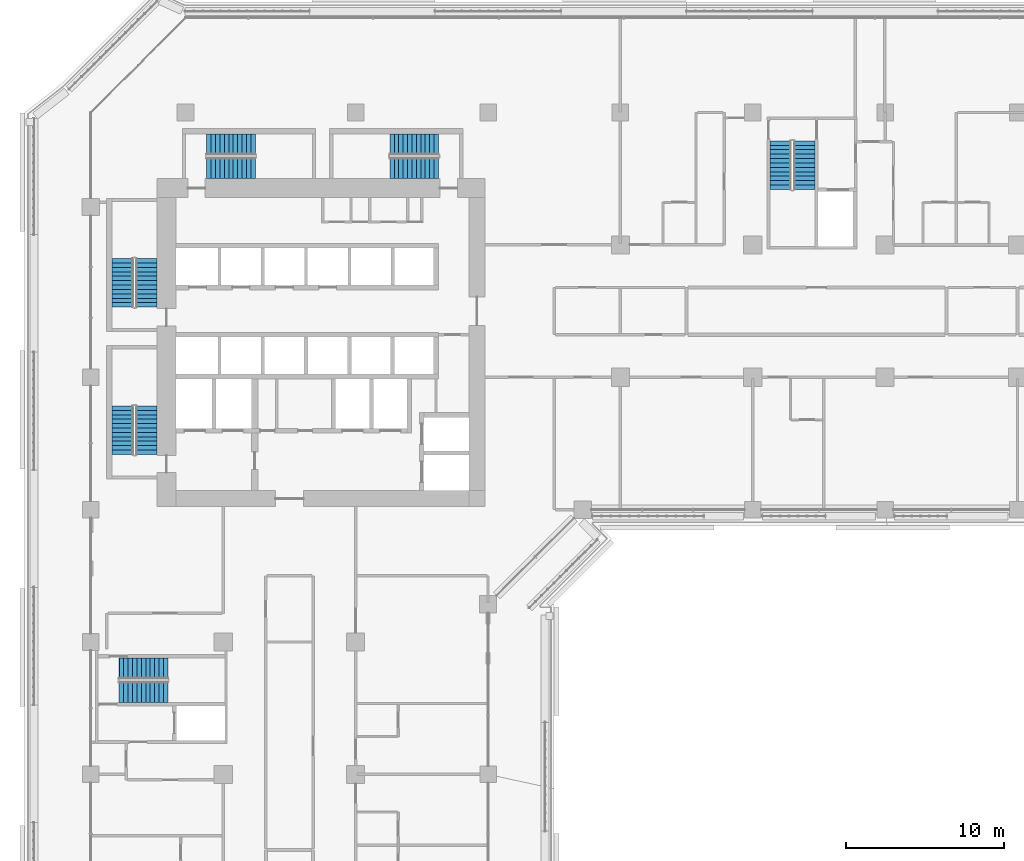
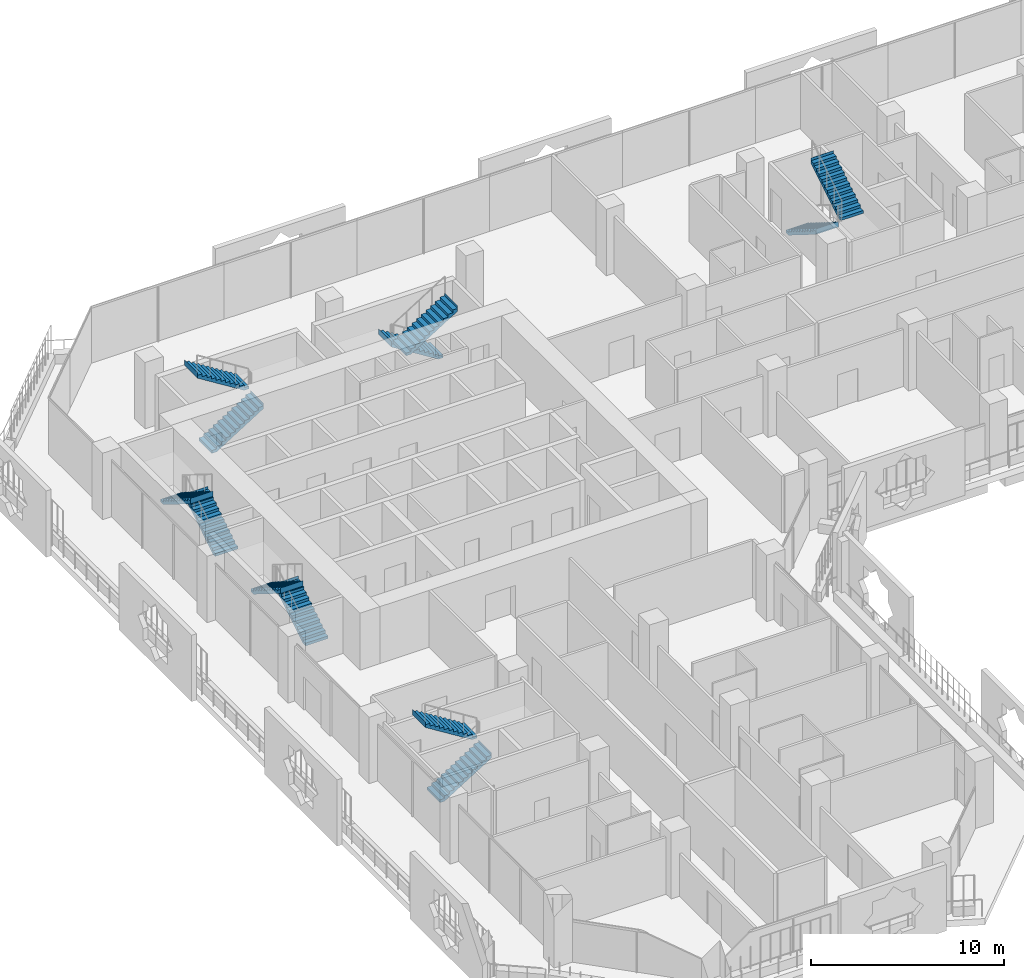
# One storey, part 18 of 25: 12 stair flights, 6 elements without a shape of their own.
"""IFC4 building model written with IfcOpenShell, lengths in metres."""

from ifc_helpers import new_model, si_unit, direction, frame, origin, place, context, subcontext, project, spatial, polyline, outline, extrude, material, type_object, element, aggregate, save


model = new_model("IFC4")

# Units and contexts
model_context = context("Model", 3, precision=1e-05, world=origin(), true_north=direction((0.0, 1.0)))
body_context = subcontext(model_context, "Body", "Model", "MODEL_VIEW")
ifc_project = project(units=[si_unit("LENGTHUNIT", "METRE"), si_unit("AREAUNIT", "SQUARE_METRE"), si_unit("VOLUMEUNIT", "CUBIC_METRE"), si_unit("PLANEANGLEUNIT", "RADIAN"), si_unit("MASSUNIT", "GRAM", prefix="KILO")], contexts=[model_context])

# Site, building, storey
site_placement = place(None, origin())
site = spatial("IfcSite", under=ifc_project, at=site_placement, CompositionType="ELEMENT")
building_placement = place(site_placement, origin())
building = spatial("IfcBuilding", under=site, at=building_placement, Name="Kawkab Arch Medical Tower", CompositionType="ELEMENT")
storey_placement = place(building_placement, frame((0.0, 0.0, 128.199951171875)))
storey = spatial("IfcBuildingStorey", under=building, at=storey_placement, Name="L29", CompositionType="ELEMENT", Elevation=128.199951171875)

# Stair, stair flights
ifc_material_1 = material(Name="Concrete C40/50", Category="concrete")
stair_type = type_object("IfcStairType", Name="Exit stair 1350", PredefinedType="HALF_TURN_STAIR", material=ifc_material_1)
placement = place(storey_placement, origin())
stair_1 = element("IfcStair", 1, at=placement, inside=storey, type_object=stair_type, Name="L29 Exit stair ST1", PredefinedType="HALF_TURN_STAIR")
ifc_material_2 = material(Name="Concrete C40/50", Category="concrete")
stair_flight_type = type_object("IfcStairFlightType", Name="Exit stair flight 1350", PredefinedType="STRAIGHT", material=ifc_material_2)
stair_flight_1_placement = place(storey_placement, frame((3.52490234375, -12.35009765625, 0.0), z_axis=(0.0, 0.0, 1.0), x_axis=(0.0, 1.0, 0.0)))
stair_flight_1 = element("IfcStairFlight", 2, at=stair_flight_1_placement, type_object=stair_flight_type, Name="ST1 flight 1", NumberOfRisers=12, NumberOfTreads=11, PredefinedType="STRAIGHT", RiserHeight=0.175, TreadLength=0.28, context=body_context, shape_type="SweptSolid", body=[
    extrude(outline(polyline([(-0.0029296875, 0.0), (-0.0029296875, 0.175048828125), (0.0, 0.175048828125), (0.280029296875, 0.175048828125), (0.280029296875, 0.35009765625), (0.56005859375, 0.35009765625), (0.56005859375, 0.52490234375), (0.840087890625, 0.52490234375), (0.840087890625, 0.699951171875), (1.1201171875, 0.699951171875), (1.1201171875, 0.875), (1.39990234375, 0.875), (1.39990234375, 1.050048828125), (1.679931640625, 1.050048828125), (1.679931640625, 1.22509765625), (1.9599609375, 1.22509765625), (1.9599609375, 1.39990234375), (2.239990234375, 1.39990234375), (2.239990234375, 1.574951171875), (2.52001953125, 1.574951171875), (2.52001953125, 1.75), (2.800048828125, 1.75), (2.800048828125, 1.925048828125), (3.080078125, 1.925048828125), (3.080078125, 2.10009765625), (3.0830078125, 2.10009765625), (3.0830078125, 1.748291015625), (3.080078125, 1.748291015625), (0.28271484375, 0.0), (-0.0029296875, 0.0)])), frame((0.0, 0.675048828125, 0.0), z_axis=(0.0, -1.0, 0.0), x_axis=(1.0, 0.0, 0.0)), (0.0, 0.0, 1.0), 1.35009765625),
])
stair_flight_2_placement = place(storey_placement, frame((2.02490234375, -9.27001953125, 2.10009765625), z_axis=(0.0, 0.0, 1.0), x_axis=(0.0, -1.0, 0.0)))
stair_flight_2 = element("IfcStairFlight", 3, at=stair_flight_2_placement, type_object=stair_flight_type, Name="ST1 flight 2", NumberOfRisers=12, NumberOfTreads=11, PredefinedType="STRAIGHT", RiserHeight=0.175, TreadLength=0.28, context=body_context, shape_type="SweptSolid", body=[
    extrude(outline(polyline([(-0.0029296875, 0.0), (-0.0029296875, 0.175048828125), (0.0, 0.175048828125), (0.280029296875, 0.175048828125), (0.280029296875, 0.35009765625), (0.56005859375, 0.35009765625), (0.56005859375, 0.52490234375), (0.840087890625, 0.52490234375), (0.840087890625, 0.699951171875), (1.1201171875, 0.699951171875), (1.1201171875, 0.875), (1.39990234375, 0.875), (1.39990234375, 1.050048828125), (1.679931640625, 1.050048828125), (1.679931640625, 1.22509765625), (1.9599609375, 1.22509765625), (1.9599609375, 1.39990234375), (2.239990234375, 1.39990234375), (2.239990234375, 1.574951171875), (2.52001953125, 1.574951171875), (2.52001953125, 1.75), (2.800048828125, 1.75), (2.800048828125, 1.925048828125), (3.080078125, 1.925048828125), (3.080078125, 2.10009765625), (3.0830078125, 2.10009765625), (3.0830078125, 1.748291015625), (3.080078125, 1.748291015625), (0.28271484375, 0.0), (-0.0029296875, 0.0)])), frame((0.0, 0.675048828125, 0.0), z_axis=(0.0, -1.0, 0.0), x_axis=(1.0, 0.0, 0.0)), (0.0, 0.0, 1.0), 1.35009765625),
])
aggregate(stair_1, [stair_flight_1, stair_flight_2])

stair_2 = element("IfcStair", 4, at=placement, inside=storey, type_object=stair_type, Name="L29 Exit stair ST2", PredefinedType="HALF_TURN_STAIR")
stair_flight_3_placement = place(storey_placement, frame((3.52490234375, -21.699951171875, 0.0), z_axis=(0.0, 0.0, 1.0), x_axis=(0.0, 1.0, 0.0)))
stair_flight_3 = element("IfcStairFlight", 5, at=stair_flight_3_placement, type_object=stair_flight_type, Name="ST2 flight 1", NumberOfRisers=12, NumberOfTreads=11, PredefinedType="STRAIGHT", RiserHeight=0.175, TreadLength=0.28, context=body_context, shape_type="SweptSolid", body=[
    extrude(outline(polyline([(-0.0029296875, 0.0), (-0.0029296875, 0.175048828125), (0.0, 0.175048828125), (0.280029296875, 0.175048828125), (0.280029296875, 0.35009765625), (0.56005859375, 0.35009765625), (0.56005859375, 0.52490234375), (0.840087890625, 0.52490234375), (0.840087890625, 0.699951171875), (1.1201171875, 0.699951171875), (1.1201171875, 0.875), (1.39990234375, 0.875), (1.39990234375, 1.050048828125), (1.679931640625, 1.050048828125), (1.679931640625, 1.22509765625), (1.9599609375, 1.22509765625), (1.9599609375, 1.39990234375), (2.239990234375, 1.39990234375), (2.239990234375, 1.574951171875), (2.52001953125, 1.574951171875), (2.52001953125, 1.75), (2.800048828125, 1.75), (2.800048828125, 1.925048828125), (3.080078125, 1.925048828125), (3.080078125, 2.10009765625), (3.0830078125, 2.10009765625), (3.0830078125, 1.748291015625), (3.080078125, 1.748291015625), (0.28271484375, 0.0), (-0.0029296875, 0.0)])), frame((0.0, 0.675048828125, 0.0), z_axis=(0.0, -1.0, 0.0), x_axis=(1.0, 0.0, 0.0)), (0.0, 0.0, 1.0), 1.35009765625),
])
stair_flight_4_placement = place(storey_placement, frame((2.02490234375, -18.6201171875, 2.10009765625), z_axis=(0.0, 0.0, 1.0), x_axis=(0.0, -1.0, 0.0)))
stair_flight_4 = element("IfcStairFlight", 6, at=stair_flight_4_placement, type_object=stair_flight_type, Name="ST2 flight 2", NumberOfRisers=12, NumberOfTreads=11, PredefinedType="STRAIGHT", RiserHeight=0.175, TreadLength=0.28, context=body_context, shape_type="SweptSolid", body=[
    extrude(outline(polyline([(-0.0029296875, 0.0), (-0.0029296875, 0.175048828125), (0.0, 0.175048828125), (0.280029296875, 0.175048828125), (0.280029296875, 0.35009765625), (0.56005859375, 0.35009765625), (0.56005859375, 0.52490234375), (0.840087890625, 0.52490234375), (0.840087890625, 0.699951171875), (1.1201171875, 0.699951171875), (1.1201171875, 0.875), (1.39990234375, 0.875), (1.39990234375, 1.050048828125), (1.679931640625, 1.050048828125), (1.679931640625, 1.22509765625), (1.9599609375, 1.22509765625), (1.9599609375, 1.39990234375), (2.239990234375, 1.39990234375), (2.239990234375, 1.574951171875), (2.52001953125, 1.574951171875), (2.52001953125, 1.75), (2.800048828125, 1.75), (2.800048828125, 1.925048828125), (3.080078125, 1.925048828125), (3.080078125, 2.10009765625), (3.0830078125, 2.10009765625), (3.0830078125, 1.748291015625), (3.080078125, 1.748291015625), (0.28271484375, 0.0), (-0.0029296875, 0.0)])), frame((0.0, 0.675048828125, 0.0), z_axis=(0.0, -1.0, 0.0), x_axis=(1.0, 0.0, 0.0)), (0.0, 0.0, 1.0), 1.35009765625),
])
aggregate(stair_2, [stair_flight_3, stair_flight_4])

stair_3 = element("IfcStair", 7, at=placement, inside=storey, type_object=stair_type, Name="L29 Exit stair ST3", PredefinedType="HALF_TURN_STAIR")
stair_flight_5_placement = place(storey_placement, frame((7.35009765625, -3.52490234375, 0.0), z_axis=(0.0, 0.0, 1.0), x_axis=(1.0, 0.0, 0.0)))
stair_flight_5 = element("IfcStairFlight", 8, at=stair_flight_5_placement, type_object=stair_flight_type, Name="ST3 flight 1", NumberOfRisers=12, NumberOfTreads=11, PredefinedType="STRAIGHT", RiserHeight=0.175, TreadLength=0.28, context=body_context, shape_type="SweptSolid", body=[
    extrude(outline(polyline([(-0.0029296875, 0.0), (-0.0029296875, 0.175048828125), (0.0, 0.175048828125), (0.280029296875, 0.175048828125), (0.280029296875, 0.35009765625), (0.56005859375, 0.35009765625), (0.56005859375, 0.52490234375), (0.840087890625, 0.52490234375), (0.840087890625, 0.699951171875), (1.1201171875, 0.699951171875), (1.1201171875, 0.875), (1.39990234375, 0.875), (1.39990234375, 1.050048828125), (1.679931640625, 1.050048828125), (1.679931640625, 1.22509765625), (1.9599609375, 1.22509765625), (1.9599609375, 1.39990234375), (2.239990234375, 1.39990234375), (2.239990234375, 1.574951171875), (2.52001953125, 1.574951171875), (2.52001953125, 1.75), (2.800048828125, 1.75), (2.800048828125, 1.925048828125), (3.080078125, 1.925048828125), (3.080078125, 2.10009765625), (3.0830078125, 2.10009765625), (3.0830078125, 1.748291015625), (3.080078125, 1.748291015625), (0.28271484375, 0.0), (-0.0029296875, 0.0)])), frame((0.0, 0.675048828125, 0.0), z_axis=(0.0, -1.0, 0.0), x_axis=(1.0, 0.0, 0.0)), (0.0, 0.0, 1.0), 1.35009765625),
])
stair_flight_6_placement = place(storey_placement, frame((10.429931640625, -2.02490234375, 2.10009765625), z_axis=(0.0, 0.0, 1.0), x_axis=(-1.0, 0.0, 0.0)))
stair_flight_6 = element("IfcStairFlight", 9, at=stair_flight_6_placement, type_object=stair_flight_type, Name="ST3 flight 2", NumberOfRisers=12, NumberOfTreads=11, PredefinedType="STRAIGHT", RiserHeight=0.175, TreadLength=0.28, context=body_context, shape_type="SweptSolid", body=[
    extrude(outline(polyline([(-0.0029296875, 0.0), (-0.0029296875, 0.175048828125), (0.0, 0.175048828125), (0.280029296875, 0.175048828125), (0.280029296875, 0.35009765625), (0.56005859375, 0.35009765625), (0.56005859375, 0.52490234375), (0.840087890625, 0.52490234375), (0.840087890625, 0.699951171875), (1.1201171875, 0.699951171875), (1.1201171875, 0.875), (1.39990234375, 0.875), (1.39990234375, 1.050048828125), (1.679931640625, 1.050048828125), (1.679931640625, 1.22509765625), (1.9599609375, 1.22509765625), (1.9599609375, 1.39990234375), (2.239990234375, 1.39990234375), (2.239990234375, 1.574951171875), (2.52001953125, 1.574951171875), (2.52001953125, 1.75), (2.800048828125, 1.75), (2.800048828125, 1.925048828125), (3.080078125, 1.925048828125), (3.080078125, 2.10009765625), (3.0830078125, 2.10009765625), (3.0830078125, 1.748291015625), (3.080078125, 1.748291015625), (0.28271484375, 0.0), (-0.0029296875, 0.0)])), frame((0.0, 0.675048828125, 0.0), z_axis=(0.0, -1.0, 0.0), x_axis=(1.0, 0.0, 0.0)), (0.0, 0.0, 1.0), 1.35009765625),
])
aggregate(stair_3, [stair_flight_5, stair_flight_6])

stair_4 = element("IfcStair", 10, at=placement, inside=storey, type_object=stair_type, Name="L29 Exit stair ST4", PredefinedType="HALF_TURN_STAIR")
stair_flight_7_placement = place(storey_placement, frame((22.050048828125, -2.02490234375, 0.0), z_axis=(0.0, 0.0, 1.0), x_axis=(-1.0, 0.0, 0.0)))
stair_flight_7 = element("IfcStairFlight", 11, at=stair_flight_7_placement, type_object=stair_flight_type, Name="ST4 flight 1", NumberOfRisers=12, NumberOfTreads=11, PredefinedType="STRAIGHT", RiserHeight=0.175, TreadLength=0.28, context=body_context, shape_type="SweptSolid", body=[
    extrude(outline(polyline([(-0.0029296875, 0.0), (-0.0029296875, 0.175048828125), (0.0, 0.175048828125), (0.280029296875, 0.175048828125), (0.280029296875, 0.35009765625), (0.56005859375, 0.35009765625), (0.56005859375, 0.52490234375), (0.840087890625, 0.52490234375), (0.840087890625, 0.699951171875), (1.1201171875, 0.699951171875), (1.1201171875, 0.875), (1.39990234375, 0.875), (1.39990234375, 1.050048828125), (1.679931640625, 1.050048828125), (1.679931640625, 1.22509765625), (1.9599609375, 1.22509765625), (1.9599609375, 1.39990234375), (2.239990234375, 1.39990234375), (2.239990234375, 1.574951171875), (2.52001953125, 1.574951171875), (2.52001953125, 1.75), (2.800048828125, 1.75), (2.800048828125, 1.925048828125), (3.080078125, 1.925048828125), (3.080078125, 2.10009765625), (3.0830078125, 2.10009765625), (3.0830078125, 1.748291015625), (3.080078125, 1.748291015625), (0.28271484375, 0.0), (-0.0029296875, 0.0)])), frame((0.0, 0.675048828125, 0.0), z_axis=(0.0, -1.0, 0.0), x_axis=(1.0, 0.0, 0.0)), (0.0, 0.0, 1.0), 1.35009765625),
])
stair_flight_8_placement = place(storey_placement, frame((18.969970703125, -3.52490234375, 2.10009765625), z_axis=(0.0, 0.0, 1.0), x_axis=(1.0, 0.0, 0.0)))
stair_flight_8 = element("IfcStairFlight", 12, at=stair_flight_8_placement, type_object=stair_flight_type, Name="ST4 flight 2", NumberOfRisers=12, NumberOfTreads=11, PredefinedType="STRAIGHT", RiserHeight=0.175, TreadLength=0.28, context=body_context, shape_type="SweptSolid", body=[
    extrude(outline(polyline([(-0.0029296875, 0.0), (-0.0029296875, 0.175048828125), (0.0, 0.175048828125), (0.280029296875, 0.175048828125), (0.280029296875, 0.35009765625), (0.56005859375, 0.35009765625), (0.56005859375, 0.52490234375), (0.840087890625, 0.52490234375), (0.840087890625, 0.699951171875), (1.1201171875, 0.699951171875), (1.1201171875, 0.875), (1.39990234375, 0.875), (1.39990234375, 1.050048828125), (1.679931640625, 1.050048828125), (1.679931640625, 1.22509765625), (1.9599609375, 1.22509765625), (1.9599609375, 1.39990234375), (2.239990234375, 1.39990234375), (2.239990234375, 1.574951171875), (2.52001953125, 1.574951171875), (2.52001953125, 1.75), (2.800048828125, 1.75), (2.800048828125, 1.925048828125), (3.080078125, 1.925048828125), (3.080078125, 2.10009765625), (3.0830078125, 2.10009765625), (3.0830078125, 1.748291015625), (3.080078125, 1.748291015625), (0.28271484375, 0.0), (-0.0029296875, 0.0)])), frame((0.0, 0.675048828125, 0.0), z_axis=(0.0, -1.0, 0.0), x_axis=(1.0, 0.0, 0.0)), (0.0, 0.0, 1.0), 1.35009765625),
])
aggregate(stair_4, [stair_flight_7, stair_flight_8])

stair_5 = element("IfcStair", 13, at=placement, inside=storey, type_object=stair_type, Name="L29 Exit stair ST5", PredefinedType="HALF_TURN_STAIR")
stair_flight_9_placement = place(storey_placement, frame((43.77490234375, -1.800048828125, 0.0), z_axis=(0.0, 0.0, 1.0), x_axis=(0.0, -1.0, 0.0)))
stair_flight_9 = element("IfcStairFlight", 14, at=stair_flight_9_placement, type_object=stair_flight_type, Name="ST5 flight 1", NumberOfRisers=12, NumberOfTreads=11, PredefinedType="STRAIGHT", RiserHeight=0.175, TreadLength=0.28, context=body_context, shape_type="SweptSolid", body=[
    extrude(outline(polyline([(-0.0029296875, 0.0), (-0.0029296875, 0.175048828125), (0.0, 0.175048828125), (0.280029296875, 0.175048828125), (0.280029296875, 0.35009765625), (0.56005859375, 0.35009765625), (0.56005859375, 0.52490234375), (0.840087890625, 0.52490234375), (0.840087890625, 0.699951171875), (1.1201171875, 0.699951171875), (1.1201171875, 0.875), (1.39990234375, 0.875), (1.39990234375, 1.050048828125), (1.679931640625, 1.050048828125), (1.679931640625, 1.22509765625), (1.9599609375, 1.22509765625), (1.9599609375, 1.39990234375), (2.239990234375, 1.39990234375), (2.239990234375, 1.574951171875), (2.52001953125, 1.574951171875), (2.52001953125, 1.75), (2.800048828125, 1.75), (2.800048828125, 1.925048828125), (3.080078125, 1.925048828125), (3.080078125, 2.10009765625), (3.0830078125, 2.10009765625), (3.0830078125, 1.748291015625), (3.080078125, 1.748291015625), (0.28271484375, 0.0), (-0.0029296875, 0.0)])), frame((0.0, 0.675048828125, 0.0), z_axis=(0.0, -1.0, 0.0), x_axis=(1.0, 0.0, 0.0)), (0.0, 0.0, 1.0), 1.35009765625),
])
stair_flight_10_placement = place(storey_placement, frame((45.27490234375, -4.8798828125, 2.10009765625), z_axis=(0.0, 0.0, 1.0), x_axis=(0.0, 1.0, 0.0)))
stair_flight_10 = element("IfcStairFlight", 15, at=stair_flight_10_placement, type_object=stair_flight_type, Name="ST5 flight 2", NumberOfRisers=12, NumberOfTreads=11, PredefinedType="STRAIGHT", RiserHeight=0.175, TreadLength=0.28, context=body_context, shape_type="SweptSolid", body=[
    extrude(outline(polyline([(-0.0029296875, 0.0), (-0.0029296875, 0.175048828125), (0.0, 0.175048828125), (0.280029296875, 0.175048828125), (0.280029296875, 0.35009765625), (0.56005859375, 0.35009765625), (0.56005859375, 0.52490234375), (0.840087890625, 0.52490234375), (0.840087890625, 0.699951171875), (1.1201171875, 0.699951171875), (1.1201171875, 0.875), (1.39990234375, 0.875), (1.39990234375, 1.050048828125), (1.679931640625, 1.050048828125), (1.679931640625, 1.22509765625), (1.9599609375, 1.22509765625), (1.9599609375, 1.39990234375), (2.239990234375, 1.39990234375), (2.239990234375, 1.574951171875), (2.52001953125, 1.574951171875), (2.52001953125, 1.75), (2.800048828125, 1.75), (2.800048828125, 1.925048828125), (3.080078125, 1.925048828125), (3.080078125, 2.10009765625), (3.0830078125, 2.10009765625), (3.0830078125, 1.748291015625), (3.080078125, 1.748291015625), (0.28271484375, 0.0), (-0.0029296875, 0.0)])), frame((0.0, 0.675048828125, 0.0), z_axis=(0.0, -1.0, 0.0), x_axis=(1.0, 0.0, 0.0)), (0.0, 0.0, 1.0), 1.35009765625),
])
aggregate(stair_5, [stair_flight_9, stair_flight_10])

stair_6 = element("IfcStair", 16, at=placement, inside=storey, type_object=stair_type, Name="L29 Exit stair ST6", PredefinedType="HALF_TURN_STAIR")
stair_flight_11_placement = place(storey_placement, frame((1.800048828125, -36.77490234375, 0.0), z_axis=(0.0, 0.0, 1.0), x_axis=(1.0, 0.0, 0.0)))
stair_flight_11 = element("IfcStairFlight", 17, at=stair_flight_11_placement, type_object=stair_flight_type, Name="ST6 flight 1", NumberOfRisers=12, NumberOfTreads=11, PredefinedType="STRAIGHT", RiserHeight=0.175, TreadLength=0.28, context=body_context, shape_type="SweptSolid", body=[
    extrude(outline(polyline([(-0.0029296875, 0.0), (-0.0029296875, 0.175048828125), (0.0, 0.175048828125), (0.280029296875, 0.175048828125), (0.280029296875, 0.35009765625), (0.56005859375, 0.35009765625), (0.56005859375, 0.52490234375), (0.840087890625, 0.52490234375), (0.840087890625, 0.699951171875), (1.1201171875, 0.699951171875), (1.1201171875, 0.875), (1.39990234375, 0.875), (1.39990234375, 1.050048828125), (1.679931640625, 1.050048828125), (1.679931640625, 1.22509765625), (1.9599609375, 1.22509765625), (1.9599609375, 1.39990234375), (2.239990234375, 1.39990234375), (2.239990234375, 1.574951171875), (2.52001953125, 1.574951171875), (2.52001953125, 1.75), (2.800048828125, 1.75), (2.800048828125, 1.925048828125), (3.080078125, 1.925048828125), (3.080078125, 2.10009765625), (3.0830078125, 2.10009765625), (3.0830078125, 1.748291015625), (3.080078125, 1.748291015625), (0.28271484375, 0.0), (-0.0029296875, 0.0)])), frame((0.0, 0.675048828125, 0.0), z_axis=(0.0, -1.0, 0.0), x_axis=(1.0, 0.0, 0.0)), (0.0, 0.0, 1.0), 1.35009765625),
])
stair_flight_12_placement = place(storey_placement, frame((4.8798828125, -35.27490234375, 2.10009765625), z_axis=(0.0, 0.0, 1.0), x_axis=(-1.0, 0.0, 0.0)))
stair_flight_12 = element("IfcStairFlight", 18, at=stair_flight_12_placement, type_object=stair_flight_type, Name="ST6 flight 2", NumberOfRisers=12, NumberOfTreads=11, PredefinedType="STRAIGHT", RiserHeight=0.175, TreadLength=0.28, context=body_context, shape_type="SweptSolid", body=[
    extrude(outline(polyline([(-0.0029296875, 0.0), (-0.0029296875, 0.175048828125), (0.0, 0.175048828125), (0.280029296875, 0.175048828125), (0.280029296875, 0.35009765625), (0.56005859375, 0.35009765625), (0.56005859375, 0.52490234375), (0.840087890625, 0.52490234375), (0.840087890625, 0.699951171875), (1.1201171875, 0.699951171875), (1.1201171875, 0.875), (1.39990234375, 0.875), (1.39990234375, 1.050048828125), (1.679931640625, 1.050048828125), (1.679931640625, 1.22509765625), (1.9599609375, 1.22509765625), (1.9599609375, 1.39990234375), (2.239990234375, 1.39990234375), (2.239990234375, 1.574951171875), (2.52001953125, 1.574951171875), (2.52001953125, 1.75), (2.800048828125, 1.75), (2.800048828125, 1.925048828125), (3.080078125, 1.925048828125), (3.080078125, 2.10009765625), (3.0830078125, 2.10009765625), (3.0830078125, 1.748291015625), (3.080078125, 1.748291015625), (0.28271484375, 0.0), (-0.0029296875, 0.0)])), frame((0.0, 0.675048828125, 0.0), z_axis=(0.0, -1.0, 0.0), x_axis=(1.0, 0.0, 0.0)), (0.0, 0.0, 1.0), 1.35009765625),
])
aggregate(stair_6, [stair_flight_11, stair_flight_12])

save(model, "model.ifc")
